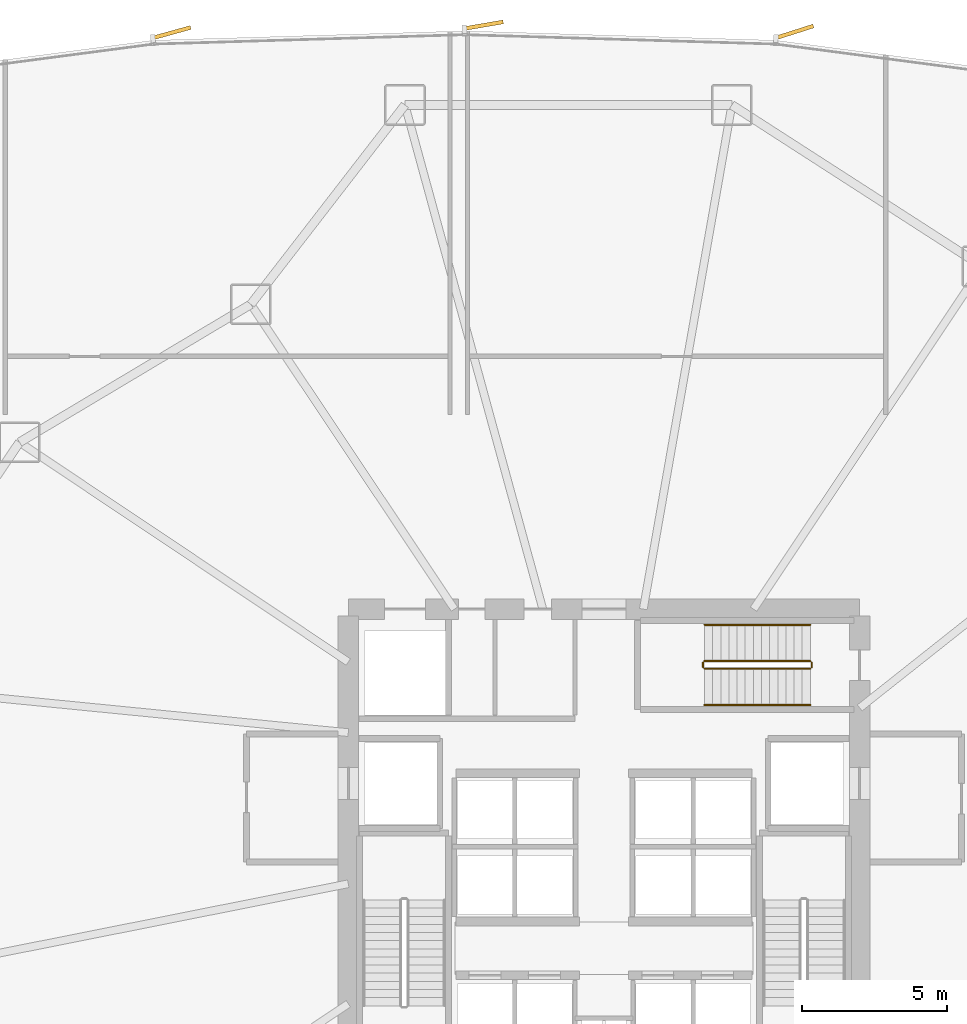
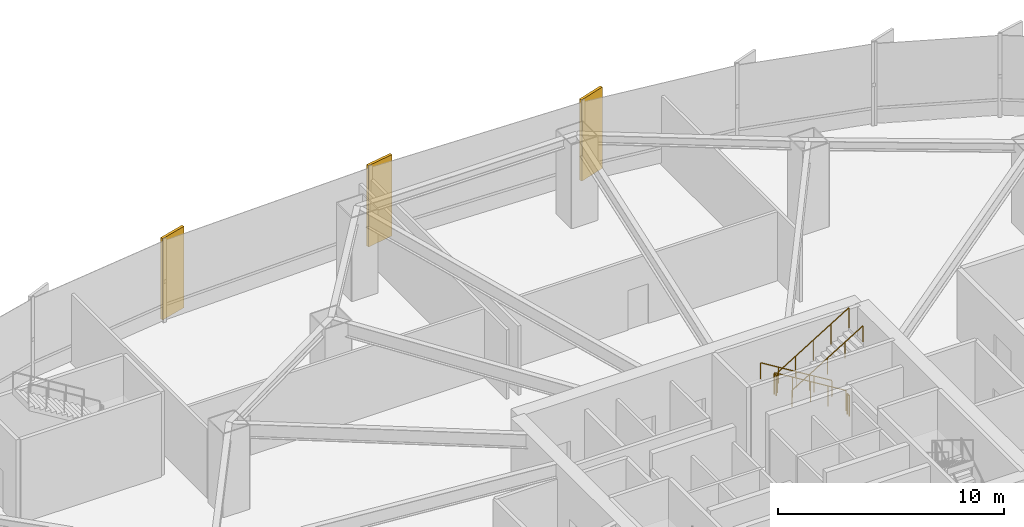
# One storey, part 32 of 33: 6 railings, 3 coverings.
"""IFC4 building model written with IfcOpenShell, lengths in metres."""

from ifc_helpers import new_model, si_unit, direction, frame, origin, origin_2d, place, context, subcontext, project, spatial, rectangle, circle, extrude, source, transform, mapped, material, layer, layer_set, type_object, element, save


model = new_model("IFC4")

# Units and contexts
model_context = context("Model", 3, precision=1e-05, world=origin(), true_north=direction((0.0, 1.0)))
body_context = subcontext(model_context, "Body", "Model", "MODEL_VIEW")
ifc_project = project(units=[si_unit("LENGTHUNIT", "METRE"), si_unit("AREAUNIT", "SQUARE_METRE"), si_unit("VOLUMEUNIT", "CUBIC_METRE"), si_unit("PLANEANGLEUNIT", "RADIAN"), si_unit("MASSUNIT", "GRAM", prefix="KILO"), si_unit("THERMODYNAMICTEMPERATUREUNIT", "KELVIN")], contexts=[model_context])

# Site, building, storey
site_placement = place(None, origin())
site = spatial("IfcSite", under=ifc_project, at=site_placement, CompositionType="ELEMENT")
building_placement = place(site_placement, origin())
building = spatial("IfcBuilding", under=site, at=building_placement, Name="Kethvar Cultural Tower", CompositionType="ELEMENT")
storey_placement = place(building_placement, frame((0.0, 0.0, 10.0)))
storey = spatial("IfcBuildingStorey", under=building, at=storey_placement, Name="L02", CompositionType="ELEMENT", Elevation=10.0)

# Railings
ifc_material_1 = material(Name="Steel S355J2", Category="steel")
railing_type_1 = type_object("IfcRailingType", Name="RL-STAIR-GUARD", PredefinedType="BALUSTRADE", material=ifc_material_1)
railing_1_placement = place(storey_placement, frame((53.89990234375, 33.7099609375, 0.17138671875)))
element("IfcRailing", 1, at=railing_1_placement, inside=storey, type_object=railing_type_1, Name="L02 ST-03 stair guard 1", PredefinedType="BALUSTRADE", context=body_context, shape_type="SweptSolid", body=[
    extrude(circle(Radius=0.02392578125, at=origin_2d()), frame((0.0, 0.0, 1.09619140625), z_axis=(-0.852850264322, 0.0, 0.5221555579), x_axis=(0.0, -1.0, 0.0)), (0.0, 0.0, 1.0), 4.267822265625),
    extrude(circle(Radius=0.02099609375, at=origin_2d()), origin(), (0.0, 0.0, 1.0), 1.072021484375),
    extrude(circle(Radius=0.02099609375, at=origin_2d()), frame((-0.909912109375, 0.0, 0.55712890625)), (0.0, 0.0, 1.0), 1.072021484375),
    extrude(circle(Radius=0.02099609375, at=origin_2d()), frame((-1.81982421875, 0.0, 1.1142578125)), (0.0, 0.0, 1.0), 1.072021484375),
    extrude(circle(Radius=0.02099609375, at=origin_2d()), frame((-2.72998046875, 0.0, 1.67138671875)), (0.0, 0.0, 1.0), 1.072021484375),
    extrude(circle(Radius=0.02099609375, at=origin_2d()), frame((-3.639892578125, 0.0, 2.228515625)), (0.0, 0.0, 1.0), 1.072021484375),
])
railing_2_placement = place(storey_placement, frame((50.2099609375, 33.659912109375, 2.39990234375)))
element("IfcRailing", 2, at=railing_2_placement, inside=storey, type_object=railing_type_1, Name="L02 ST-03 stair guard 2", PredefinedType="BALUSTRADE", context=body_context, shape_type="SweptSolid", body=[
    extrude(circle(Radius=0.02392578125, at=origin_2d()), frame((0.0, 0.0, 1.09619140625), z_axis=(0.0, -1.0, 0.0), x_axis=(1.0, 0.0, 0.0)), (0.0, 0.0, 1.0), 0.159912109375),
    extrude(circle(Radius=0.02099609375, at=origin_2d()), origin(), (0.0, 0.0, 1.0), 1.072021484375),
    extrude(circle(Radius=0.02099609375, at=origin_2d()), frame((0.0, -0.159912109375, 0.0)), (0.0, 0.0, 1.0), 1.072021484375),
])
railing_3_placement = place(storey_placement, frame((50.260009765625, 33.449951171875, 2.571533203125)))
element("IfcRailing", 3, at=railing_3_placement, inside=storey, type_object=railing_type_1, Name="L02 ST-03 stair guard 3", PredefinedType="BALUSTRADE", context=body_context, shape_type="SweptSolid", body=[
    extrude(circle(Radius=0.02392578125, at=origin_2d()), frame((0.0, 0.0, 1.09619140625), z_axis=(0.852850264322, 0.0, 0.5221555579), x_axis=(0.0, 1.0, 0.0)), (0.0, 0.0, 1.0), 4.267822265625),
    extrude(circle(Radius=0.02099609375, at=origin_2d()), origin(), (0.0, 0.0, 1.0), 1.072021484375),
    extrude(circle(Radius=0.02099609375, at=origin_2d()), frame((0.909912109375, 0.0, 0.55712890625)), (0.0, 0.0, 1.0), 1.072021484375),
    extrude(circle(Radius=0.02099609375, at=origin_2d()), frame((1.81982421875, 0.0, 1.1142578125)), (0.0, 0.0, 1.0), 1.072021484375),
    extrude(circle(Radius=0.02099609375, at=origin_2d()), frame((2.72998046875, 0.0, 1.67138671875)), (0.0, 0.0, 1.0), 1.072021484375),
    extrude(circle(Radius=0.02099609375, at=origin_2d()), frame((3.639892578125, 0.0, 2.228515625)), (0.0, 0.0, 1.0), 1.072021484375),
])
railing_4_placement = place(storey_placement, frame((53.949951171875, 33.659912109375, 0.0)))
element("IfcRailing", 4, at=railing_4_placement, inside=storey, type_object=railing_type_1, Name="L02 ST-03 stair guard 4", PredefinedType="BALUSTRADE", context=body_context, shape_type="SweptSolid", body=[
    extrude(circle(Radius=0.02392578125, at=origin_2d()), frame((0.0, 0.0, 1.09619140625), z_axis=(0.0, -1.0, 0.0), x_axis=(1.0, 0.0, 0.0)), (0.0, 0.0, 1.0), 0.159912109375),
    extrude(circle(Radius=0.02099609375, at=origin_2d()), origin(), (0.0, 0.0, 1.0), 1.072021484375),
    extrude(circle(Radius=0.02099609375, at=origin_2d()), frame((0.0, -0.159912109375, 0.0)), (0.0, 0.0, 1.0), 1.072021484375),
])
railing_type_2 = type_object("IfcRailingType", Name="RL-STAIR-HANDRAIL", PredefinedType="HANDRAIL", material=ifc_material_1)
railing_5_placement = place(storey_placement, frame((53.89990234375, 34.9599609375, 0.17138671875)))
element("IfcRailing", 5, at=railing_5_placement, inside=storey, type_object=railing_type_2, Name="L02 ST-03 stair handrail 1", PredefinedType="HANDRAIL", context=body_context, shape_type="SweptSolid", body=[
    extrude(circle(Radius=0.02392578125, at=origin_2d()), frame((0.0, 0.0, 0.8759765625), z_axis=(-0.852850264322, 0.0, 0.5221555579), x_axis=(0.0, -1.0, 0.0)), (0.0, 0.0, 1.0), 4.267822265625),
    extrude(circle(Radius=0.02099609375, at=origin_2d()), origin(), (0.0, 0.0, 1.0), 0.851806640625),
    extrude(circle(Radius=0.02099609375, at=origin_2d()), frame((-0.909912109375, 0.0, 0.55712890625)), (0.0, 0.0, 1.0), 0.851806640625),
    extrude(circle(Radius=0.02099609375, at=origin_2d()), frame((-1.81982421875, 0.0, 1.1142578125)), (0.0, 0.0, 1.0), 0.851806640625),
    extrude(circle(Radius=0.02099609375, at=origin_2d()), frame((-2.72998046875, 0.0, 1.67138671875)), (0.0, 0.0, 1.0), 0.851806640625),
    extrude(circle(Radius=0.02099609375, at=origin_2d()), frame((-3.639892578125, 0.0, 2.228515625)), (0.0, 0.0, 1.0), 0.851806640625),
])
railing_6_placement = place(storey_placement, frame((50.260009765625, 32.199951171875, 2.571533203125)))
element("IfcRailing", 6, at=railing_6_placement, inside=storey, type_object=railing_type_2, Name="L02 ST-03 stair handrail 2", PredefinedType="HANDRAIL", context=body_context, shape_type="SweptSolid", body=[
    extrude(circle(Radius=0.02392578125, at=origin_2d()), frame((0.0, 0.0, 0.8759765625), z_axis=(0.852850264322, 0.0, 0.5221555579), x_axis=(0.0, 1.0, 0.0)), (0.0, 0.0, 1.0), 4.267822265625),
    extrude(circle(Radius=0.02099609375, at=origin_2d()), origin(), (0.0, 0.0, 1.0), 0.851806640625),
    extrude(circle(Radius=0.02099609375, at=origin_2d()), frame((0.909912109375, 0.0, 0.55712890625)), (0.0, 0.0, 1.0), 0.851806640625),
    extrude(circle(Radius=0.02099609375, at=origin_2d()), frame((1.81982421875, 0.0, 1.1142578125)), (0.0, 0.0, 1.0), 0.851806640625),
    extrude(circle(Radius=0.02099609375, at=origin_2d()), frame((2.72998046875, 0.0, 1.67138671875)), (0.0, 0.0, 1.0), 0.851806640625),
    extrude(circle(Radius=0.02099609375, at=origin_2d()), frame((3.639892578125, 0.0, 2.228515625)), (0.0, 0.0, 1.0), 0.851806640625),
])

# Coverings
ifc_material_2 = material(Name="Extruded Architectural Terracotta", Category="masonry")
ifc_layer = layer(ifc_material_2, 0.135009765625, Name="Extruded Architectural Terracotta", Category="masonry")
ifc_layer_set = layer_set([ifc_layer], Name="Extruded Architectural Terracotta (135 mm)")
covering_type = type_object("IfcCoveringType", Name="Terracotta Facade Fin FIN-04", PredefinedType="CLADDING", material=ifc_layer_set)
shared_shape = source(origin(), body_context, "Body", "SweptSolid", [
    extrude(rectangle(XDim=1.35009765625, YDim=0.135009765625, at=origin_2d()), origin(), (0.0, 0.0, 1.0), 4.39990234375),
])
for number, where, z_axis, x_axis, name in (
    (7, (53.361328125, 55.3623046875, 0.02001953125), (0.0, 0.0, 1.0), (0.952555295657, 0.304365583986, 0.0), "L02 Vertical Terracotta Fin 2.3"),
    (8, (42.662841796875, 55.593994140625, 0.02001953125), (0.0, 0.0, 1.0), (0.985615113142, 0.169005469575, 0.0), "L02 Vertical Terracotta Fin 2.4"),
    (9, (31.924072265625, 55.336669921875, 0.02001953125), (0.0, 0.0, 1.0), (0.963583796636, 0.267406557249, 0.0), "L02 Vertical Terracotta Fin 2.5"),
):
    element("IfcCovering", number, at=place(storey_placement, frame(where, z_axis=z_axis, x_axis=x_axis)), inside=storey, type_object=covering_type, Name=name, PredefinedType="CLADDING", context=body_context, shape_type="MappedRepresentation", body=[
        mapped(shared_shape, transform((0.0, 0.0, 0.0), scale=1.0)),
    ])

save(model, "model.ifc")
